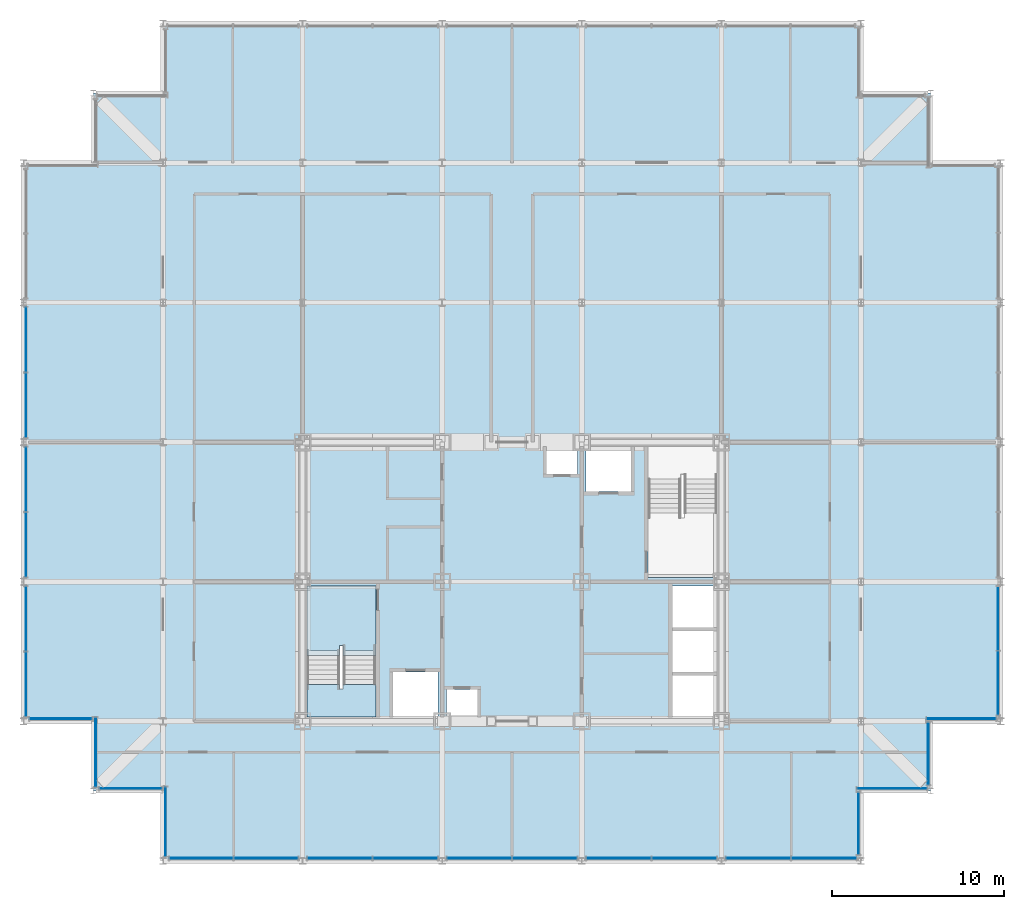
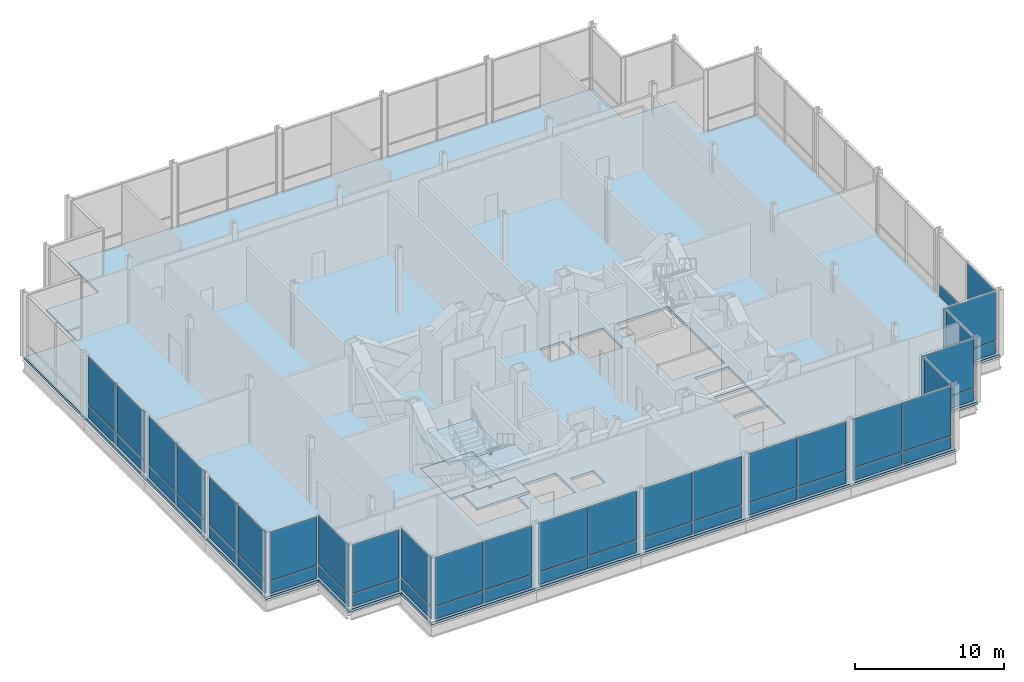
# One storey, part 12 of 21: 51 plates, 5 slabs, 18 elements without a shape of their own.
"""IFC4 building model written with IfcOpenShell, lengths in metres."""

from ifc_helpers import new_model, si_unit, direction, frame, origin, origin_2d, place, context, subcontext, project, spatial, polyline, rectangle, outline, extrude, material, layer, layer_set, type_object, element, aggregate, save


model = new_model("IFC4")

# Units and contexts
model_context = context("Model", 3, precision=1e-05, world=origin(), true_north=direction((0.0, 1.0)))
body_context = subcontext(model_context, "Body", "Model", "MODEL_VIEW")
ifc_project = project(units=[si_unit("LENGTHUNIT", "METRE"), si_unit("AREAUNIT", "SQUARE_METRE"), si_unit("VOLUMEUNIT", "CUBIC_METRE"), si_unit("PLANEANGLEUNIT", "RADIAN"), si_unit("MASSUNIT", "GRAM", prefix="KILO")], contexts=[model_context])

# Site, building, storey
site_placement = place(None, origin())
site = spatial("IfcSite", under=ifc_project, at=site_placement, CompositionType="ELEMENT")
building_placement = place(site_placement, origin())
building = spatial("IfcBuilding", under=site, at=building_placement, Name="Kopane Lantern Tower", CompositionType="ELEMENT")
storey_placement = place(building_placement, frame((0.0, 0.0, 298.5)))
storey = spatial("IfcBuildingStorey", under=building, at=storey_placement, Name="L76", CompositionType="ELEMENT", Elevation=298.5)

# Curtain wall, plates
ifc_material_1 = material(Name="Aluminium and clear glass", Category="aluminium")
curtain_wall_type = type_object("IfcCurtainWallType", Name="CURTAIN WALL CW6 LANTERN CROWN", PredefinedType="USERDEFINED", material=ifc_material_1)
curtain_wall_1_placement = place(storey_placement, origin())
curtain_wall_1 = element("IfcCurtainWall", 1, at=curtain_wall_1_placement, inside=storey, type_object=curtain_wall_type, Name="Curtain wall CW6 S L76", ObjectType="CURTAIN WALL", PredefinedType="USERDEFINED")
ifc_material_2 = material(Name="Insulated clear glass unit", Category="glass")
ifc_layer_1 = layer(ifc_material_2, 0.0400390625)
ifc_layer_set_1 = layer_set([ifc_layer_1], Name="CURTAIN PANEL CW6-P 40")
plate_type = type_object("IfcPlateType", Name="CURTAIN PANEL CW6-P 40", PredefinedType="CURTAIN_PANEL", material=ifc_layer_set_1)
plate_1_placement = place(storey_placement, frame((10.31884765625, 16.35009765625, 0.080078125), z_axis=(0.0, 0.0, 1.0), x_axis=(1.0, 0.0, 0.0)))
plate_1 = element("IfcPlate", 2, at=plate_1_placement, type_object=plate_type, Name="CW6 panel 1.1", PredefinedType="CURTAIN_PANEL", context=body_context, shape_type="SweptSolid", body=[
    extrude(rectangle(XDim=3.677734375, YDim=0.0400390625, at=origin_2d()), origin(), (0.0, 0.0, 1.0), 0.97998046875),
])
plate_2_placement = place(storey_placement, frame((10.31884765625, 16.35009765625, 1.14013671875), z_axis=(0.0, 0.0, 1.0), x_axis=(1.0, 0.0, 0.0)))
plate_2 = element("IfcPlate", 3, at=plate_2_placement, type_object=plate_type, Name="CW6 panel 1.2", PredefinedType="CURTAIN_PANEL", context=body_context, shape_type="SweptSolid", body=[
    extrude(rectangle(XDim=3.677734375, YDim=0.0400390625, at=origin_2d()), origin(), (0.0, 0.0, 1.0), 3.969970703125),
])
plate_3_placement = place(storey_placement, frame((14.07666015625, 16.35009765625, 0.080078125), z_axis=(0.0, 0.0, 1.0), x_axis=(1.0, 0.0, 0.0)))
plate_3 = element("IfcPlate", 4, at=plate_3_placement, type_object=plate_type, Name="CW6 panel 2.1", PredefinedType="CURTAIN_PANEL", context=body_context, shape_type="SweptSolid", body=[
    extrude(rectangle(XDim=3.677734375, YDim=0.0400390625, at=origin_2d()), origin(), (0.0, 0.0, 1.0), 0.97998046875),
])
plate_4_placement = place(storey_placement, frame((14.07666015625, 16.35009765625, 1.14013671875), z_axis=(0.0, 0.0, 1.0), x_axis=(1.0, 0.0, 0.0)))
plate_4 = element("IfcPlate", 5, at=plate_4_placement, type_object=plate_type, Name="CW6 panel 2.2", PredefinedType="CURTAIN_PANEL", context=body_context, shape_type="SweptSolid", body=[
    extrude(rectangle(XDim=3.677734375, YDim=0.0400390625, at=origin_2d()), origin(), (0.0, 0.0, 1.0), 3.969970703125),
])
aggregate(curtain_wall_1, [plate_1, plate_2, plate_3, plate_4])

curtain_wall_2_placement = place(storey_placement, origin())
curtain_wall_2 = element("IfcCurtainWall", 6, at=curtain_wall_2_placement, inside=storey, type_object=curtain_wall_type, Name="Curtain wall CW6 S L76", ObjectType="CURTAIN WALL", PredefinedType="USERDEFINED")
plate_5_placement = place(storey_placement, frame((18.34716796875, 16.35009765625, 0.080078125), z_axis=(0.0, 0.0, 1.0), x_axis=(1.0, 0.0, 0.0)))
plate_5 = element("IfcPlate", 7, at=plate_5_placement, type_object=plate_type, Name="CW6 panel 1.1", PredefinedType="CURTAIN_PANEL", context=body_context, shape_type="SweptSolid", body=[
    extrude(rectangle(XDim=3.7255859375, YDim=0.0400390625, at=origin_2d()), origin(), (0.0, 0.0, 1.0), 0.97998046875),
])
plate_6_placement = place(storey_placement, frame((18.34716796875, 16.35009765625, 1.14013671875), z_axis=(0.0, 0.0, 1.0), x_axis=(1.0, 0.0, 0.0)))
plate_6 = element("IfcPlate", 8, at=plate_6_placement, type_object=plate_type, Name="CW6 panel 1.2", PredefinedType="CURTAIN_PANEL", context=body_context, shape_type="SweptSolid", body=[
    extrude(rectangle(XDim=3.7255859375, YDim=0.0400390625, at=origin_2d()), origin(), (0.0, 0.0, 1.0), 3.969970703125),
])
plate_7_placement = place(storey_placement, frame((22.15283203125, 16.35009765625, 0.080078125), z_axis=(0.0, 0.0, 1.0), x_axis=(1.0, 0.0, 0.0)))
plate_7 = element("IfcPlate", 9, at=plate_7_placement, type_object=plate_type, Name="CW6 panel 2.1", PredefinedType="CURTAIN_PANEL", context=body_context, shape_type="SweptSolid", body=[
    extrude(rectangle(XDim=3.7255859375, YDim=0.0400390625, at=origin_2d()), origin(), (0.0, 0.0, 1.0), 0.97998046875),
])
plate_8_placement = place(storey_placement, frame((22.15283203125, 16.35009765625, 1.14013671875), z_axis=(0.0, 0.0, 1.0), x_axis=(1.0, 0.0, 0.0)))
plate_8 = element("IfcPlate", 10, at=plate_8_placement, type_object=plate_type, Name="CW6 panel 2.2", PredefinedType="CURTAIN_PANEL", context=body_context, shape_type="SweptSolid", body=[
    extrude(rectangle(XDim=3.7255859375, YDim=0.0400390625, at=origin_2d()), origin(), (0.0, 0.0, 1.0), 3.969970703125),
])
aggregate(curtain_wall_2, [plate_5, plate_6, plate_7, plate_8])

curtain_wall_3_placement = place(storey_placement, origin())
curtain_wall_3 = element("IfcCurtainWall", 11, at=curtain_wall_3_placement, inside=storey, type_object=curtain_wall_type, Name="Curtain wall CW6 S L76", ObjectType="CURTAIN WALL", PredefinedType="USERDEFINED")
plate_9_placement = place(storey_placement, frame((26.447265625, 16.35009765625, 0.080078125), z_axis=(0.0, 0.0, 1.0), x_axis=(1.0, 0.0, 0.0)))
plate_9 = element("IfcPlate", 12, at=plate_9_placement, type_object=plate_type, Name="CW6 panel 1.1", PredefinedType="CURTAIN_PANEL", context=body_context, shape_type="SweptSolid", body=[
    extrude(rectangle(XDim=3.7255859375, YDim=0.0400390625, at=origin_2d()), origin(), (0.0, 0.0, 1.0), 0.97998046875),
])
plate_10_placement = place(storey_placement, frame((26.447265625, 16.35009765625, 1.14013671875), z_axis=(0.0, 0.0, 1.0), x_axis=(1.0, 0.0, 0.0)))
plate_10 = element("IfcPlate", 13, at=plate_10_placement, type_object=plate_type, Name="CW6 panel 1.2", PredefinedType="CURTAIN_PANEL", context=body_context, shape_type="SweptSolid", body=[
    extrude(rectangle(XDim=3.7255859375, YDim=0.0400390625, at=origin_2d()), origin(), (0.0, 0.0, 1.0), 3.969970703125),
])
plate_11_placement = place(storey_placement, frame((30.252685546875, 16.35009765625, 0.080078125), z_axis=(0.0, 0.0, 1.0), x_axis=(1.0, 0.0, 0.0)))
plate_11 = element("IfcPlate", 14, at=plate_11_placement, type_object=plate_type, Name="CW6 panel 2.1", PredefinedType="CURTAIN_PANEL", context=body_context, shape_type="SweptSolid", body=[
    extrude(rectangle(XDim=3.7255859375, YDim=0.0400390625, at=origin_2d()), origin(), (0.0, 0.0, 1.0), 0.97998046875),
])
plate_12_placement = place(storey_placement, frame((30.252685546875, 16.35009765625, 1.14013671875), z_axis=(0.0, 0.0, 1.0), x_axis=(1.0, 0.0, 0.0)))
plate_12 = element("IfcPlate", 15, at=plate_12_placement, type_object=plate_type, Name="CW6 panel 2.2", PredefinedType="CURTAIN_PANEL", context=body_context, shape_type="SweptSolid", body=[
    extrude(rectangle(XDim=3.7255859375, YDim=0.0400390625, at=origin_2d()), origin(), (0.0, 0.0, 1.0), 3.969970703125),
])
aggregate(curtain_wall_3, [plate_9, plate_10, plate_11, plate_12])

curtain_wall_4_placement = place(storey_placement, origin())
curtain_wall_4 = element("IfcCurtainWall", 16, at=curtain_wall_4_placement, inside=storey, type_object=curtain_wall_type, Name="Curtain wall CW6 S L76", ObjectType="CURTAIN WALL", PredefinedType="USERDEFINED")
plate_13_placement = place(storey_placement, frame((34.54736328125, 16.35009765625, 0.080078125), z_axis=(0.0, 0.0, 1.0), x_axis=(1.0, 0.0, 0.0)))
plate_13 = element("IfcPlate", 17, at=plate_13_placement, type_object=plate_type, Name="CW6 panel 1.1", PredefinedType="CURTAIN_PANEL", context=body_context, shape_type="SweptSolid", body=[
    extrude(rectangle(XDim=3.7255859375, YDim=0.0400390625, at=origin_2d()), origin(), (0.0, 0.0, 1.0), 0.97998046875),
])
plate_14_placement = place(storey_placement, frame((34.54736328125, 16.35009765625, 1.14013671875), z_axis=(0.0, 0.0, 1.0), x_axis=(1.0, 0.0, 0.0)))
plate_14 = element("IfcPlate", 18, at=plate_14_placement, type_object=plate_type, Name="CW6 panel 1.2", PredefinedType="CURTAIN_PANEL", context=body_context, shape_type="SweptSolid", body=[
    extrude(rectangle(XDim=3.7255859375, YDim=0.0400390625, at=origin_2d()), origin(), (0.0, 0.0, 1.0), 3.969970703125),
])
plate_15_placement = place(storey_placement, frame((38.352783203125, 16.35009765625, 0.080078125), z_axis=(0.0, 0.0, 1.0), x_axis=(1.0, 0.0, 0.0)))
plate_15 = element("IfcPlate", 19, at=plate_15_placement, type_object=plate_type, Name="CW6 panel 2.1", PredefinedType="CURTAIN_PANEL", context=body_context, shape_type="SweptSolid", body=[
    extrude(rectangle(XDim=3.7255859375, YDim=0.0400390625, at=origin_2d()), origin(), (0.0, 0.0, 1.0), 0.97998046875),
])
plate_16_placement = place(storey_placement, frame((38.352783203125, 16.35009765625, 1.14013671875), z_axis=(0.0, 0.0, 1.0), x_axis=(1.0, 0.0, 0.0)))
plate_16 = element("IfcPlate", 20, at=plate_16_placement, type_object=plate_type, Name="CW6 panel 2.2", PredefinedType="CURTAIN_PANEL", context=body_context, shape_type="SweptSolid", body=[
    extrude(rectangle(XDim=3.7255859375, YDim=0.0400390625, at=origin_2d()), origin(), (0.0, 0.0, 1.0), 3.969970703125),
])
aggregate(curtain_wall_4, [plate_13, plate_14, plate_15, plate_16])

curtain_wall_5_placement = place(storey_placement, origin())
curtain_wall_5 = element("IfcCurtainWall", 21, at=curtain_wall_5_placement, inside=storey, type_object=curtain_wall_type, Name="Curtain wall CW6 S L76", ObjectType="CURTAIN WALL", PredefinedType="USERDEFINED")
plate_17_placement = place(storey_placement, frame((42.647216796875, 16.35009765625, 0.080078125), z_axis=(0.0, 0.0, 1.0), x_axis=(1.0, 0.0, 0.0)))
plate_17 = element("IfcPlate", 22, at=plate_17_placement, type_object=plate_type, Name="CW6 panel 1.1", PredefinedType="CURTAIN_PANEL", context=body_context, shape_type="SweptSolid", body=[
    extrude(rectangle(XDim=3.7255859375, YDim=0.0400390625, at=origin_2d()), origin(), (0.0, 0.0, 1.0), 0.97998046875),
])
plate_18_placement = place(storey_placement, frame((42.647216796875, 16.35009765625, 1.14013671875), z_axis=(0.0, 0.0, 1.0), x_axis=(1.0, 0.0, 0.0)))
plate_18 = element("IfcPlate", 23, at=plate_18_placement, type_object=plate_type, Name="CW6 panel 1.2", PredefinedType="CURTAIN_PANEL", context=body_context, shape_type="SweptSolid", body=[
    extrude(rectangle(XDim=3.7255859375, YDim=0.0400390625, at=origin_2d()), origin(), (0.0, 0.0, 1.0), 3.969970703125),
])
plate_19_placement = place(storey_placement, frame((46.45263671875, 16.35009765625, 0.080078125), z_axis=(0.0, 0.0, 1.0), x_axis=(1.0, 0.0, 0.0)))
plate_19 = element("IfcPlate", 24, at=plate_19_placement, type_object=plate_type, Name="CW6 panel 2.1", PredefinedType="CURTAIN_PANEL", context=body_context, shape_type="SweptSolid", body=[
    extrude(rectangle(XDim=3.7255859375, YDim=0.0400390625, at=origin_2d()), origin(), (0.0, 0.0, 1.0), 0.97998046875),
])
plate_20_placement = place(storey_placement, frame((46.45263671875, 16.35009765625, 1.14013671875), z_axis=(0.0, 0.0, 1.0), x_axis=(1.0, 0.0, 0.0)))
plate_20 = element("IfcPlate", 25, at=plate_20_placement, type_object=plate_type, Name="CW6 panel 2.2", PredefinedType="CURTAIN_PANEL", context=body_context, shape_type="SweptSolid", body=[
    extrude(rectangle(XDim=3.7255859375, YDim=0.0400390625, at=origin_2d()), origin(), (0.0, 0.0, 1.0), 3.969970703125),
])
aggregate(curtain_wall_5, [plate_17, plate_18, plate_19, plate_20])

curtain_wall_6_placement = place(storey_placement, origin())
curtain_wall_6 = element("IfcCurtainWall", 26, at=curtain_wall_6_placement, inside=storey, type_object=curtain_wall_type, Name="Curtain wall CW6 E L76", ObjectType="CURTAIN WALL", PredefinedType="USERDEFINED")
plate_21_placement = place(storey_placement, frame((48.449951171875, 18.375, 0.080078125), z_axis=(0.0, 0.0, 1.0), x_axis=(0.0, 1.0, 0.0)))
plate_21 = element("IfcPlate", 27, at=plate_21_placement, type_object=plate_type, Name="CW6 panel 1.1", PredefinedType="CURTAIN_PANEL", context=body_context, shape_type="SweptSolid", body=[
    extrude(rectangle(XDim=3.590087890625, YDim=0.0400390625, at=origin_2d()), origin(), (0.0, 0.0, 1.0), 0.97998046875),
])
plate_22_placement = place(storey_placement, frame((48.449951171875, 18.375, 1.14013671875), z_axis=(0.0, 0.0, 1.0), x_axis=(0.0, 1.0, 0.0)))
plate_22 = element("IfcPlate", 28, at=plate_22_placement, type_object=plate_type, Name="CW6 panel 1.2", PredefinedType="CURTAIN_PANEL", context=body_context, shape_type="SweptSolid", body=[
    extrude(rectangle(XDim=3.590087890625, YDim=0.0400390625, at=origin_2d()), origin(), (0.0, 0.0, 1.0), 3.969970703125),
])
aggregate(curtain_wall_6, [plate_21, plate_22])

curtain_wall_7_placement = place(storey_placement, origin())
curtain_wall_7 = element("IfcCurtainWall", 29, at=curtain_wall_7_placement, inside=storey, type_object=curtain_wall_type, Name="Curtain wall CW6 S L76", ObjectType="CURTAIN WALL", PredefinedType="USERDEFINED")
plate_23_placement = place(storey_placement, frame((50.395751953125, 20.39990234375, 0.080078125), z_axis=(0.0, 0.0, 1.0), x_axis=(1.0, 0.0, 0.0)))
plate_23 = element("IfcPlate", 30, at=plate_23_placement, type_object=plate_type, Name="CW6 panel 1.1", PredefinedType="CURTAIN_PANEL", context=body_context, shape_type="SweptSolid", body=[
    extrude(rectangle(XDim=4.03125, YDim=0.0400390625, at=origin_2d()), origin(), (0.0, 0.0, 1.0), 0.97998046875),
])
plate_24_placement = place(storey_placement, frame((50.395751953125, 20.39990234375, 1.14013671875), z_axis=(0.0, 0.0, 1.0), x_axis=(1.0, 0.0, 0.0)))
plate_24 = element("IfcPlate", 31, at=plate_24_placement, type_object=plate_type, Name="CW6 panel 1.2", PredefinedType="CURTAIN_PANEL", context=body_context, shape_type="SweptSolid", body=[
    extrude(rectangle(XDim=4.03125, YDim=0.0400390625, at=origin_2d()), origin(), (0.0, 0.0, 1.0), 3.969970703125),
])
aggregate(curtain_wall_7, [plate_23, plate_24])

curtain_wall_8_placement = place(storey_placement, origin())
curtain_wall_8 = element("IfcCurtainWall", 32, at=curtain_wall_8_placement, inside=storey, type_object=curtain_wall_type, Name="Curtain wall CW6 E L76", ObjectType="CURTAIN WALL", PredefinedType="USERDEFINED")
plate_25_placement = place(storey_placement, frame((52.5, 22.425048828125, 0.080078125), z_axis=(0.0, 0.0, 1.0), x_axis=(0.0, 1.0, 0.0)))
plate_25 = element("IfcPlate", 33, at=plate_25_placement, type_object=plate_type, Name="CW6 panel 1.1", PredefinedType="CURTAIN_PANEL", context=body_context, shape_type="SweptSolid", body=[
    extrude(rectangle(XDim=3.590087890625, YDim=0.0400390625, at=origin_2d()), origin(), (0.0, 0.0, 1.0), 0.97998046875),
])
plate_26_placement = place(storey_placement, frame((52.5, 22.425048828125, 1.14013671875), z_axis=(0.0, 0.0, 1.0), x_axis=(0.0, 1.0, 0.0)))
plate_26 = element("IfcPlate", 34, at=plate_26_placement, type_object=plate_type, Name="CW6 panel 1.2", PredefinedType="CURTAIN_PANEL", context=body_context, shape_type="SweptSolid", body=[
    extrude(rectangle(XDim=3.590087890625, YDim=0.0400390625, at=origin_2d()), origin(), (0.0, 0.0, 1.0), 3.969970703125),
])
aggregate(curtain_wall_8, [plate_25, plate_26])

curtain_wall_9_placement = place(storey_placement, origin())
curtain_wall_9 = element("IfcCurtainWall", 35, at=curtain_wall_9_placement, inside=storey, type_object=curtain_wall_type, Name="Curtain wall CW6 S L76", ObjectType="CURTAIN WALL", PredefinedType="USERDEFINED")
plate_27_placement = place(storey_placement, frame((54.4228515625, 24.449951171875, 0.080078125), z_axis=(0.0, 0.0, 1.0), x_axis=(1.0, 0.0, 0.0)))
plate_27 = element("IfcPlate", 36, at=plate_27_placement, type_object=plate_type, Name="CW6 panel 1.1", PredefinedType="CURTAIN_PANEL", context=body_context, shape_type="SweptSolid", body=[
    extrude(rectangle(XDim=3.985595703125, YDim=0.0400390625, at=origin_2d()), origin(), (0.0, 0.0, 1.0), 0.97998046875),
])
plate_28_placement = place(storey_placement, frame((54.4228515625, 24.449951171875, 1.14013671875), z_axis=(0.0, 0.0, 1.0), x_axis=(1.0, 0.0, 0.0)))
plate_28 = element("IfcPlate", 37, at=plate_28_placement, type_object=plate_type, Name="CW6 panel 1.2", PredefinedType="CURTAIN_PANEL", context=body_context, shape_type="SweptSolid", body=[
    extrude(rectangle(XDim=3.985595703125, YDim=0.0400390625, at=origin_2d()), origin(), (0.0, 0.0, 1.0), 3.969970703125),
])
aggregate(curtain_wall_9, [plate_27, plate_28])

curtain_wall_10_placement = place(storey_placement, origin())
curtain_wall_10 = element("IfcCurtainWall", 38, at=curtain_wall_10_placement, inside=storey, type_object=curtain_wall_type, Name="Curtain wall CW6 E L76", ObjectType="CURTAIN WALL", PredefinedType="USERDEFINED")
plate_29_placement = place(storey_placement, frame((56.550048828125, 26.51953125, 0.080078125), z_axis=(0.0, 0.0, 1.0), x_axis=(0.0, 1.0, 0.0)))
plate_29 = element("IfcPlate", 39, at=plate_29_placement, type_object=plate_type, Name="CW6 panel 1.1", PredefinedType="CURTAIN_PANEL", context=body_context, shape_type="SweptSolid", body=[
    extrude(rectangle(XDim=3.67919921875, YDim=0.0400390625, at=origin_2d()), origin(), (0.0, 0.0, 1.0), 0.97998046875),
])
plate_30_placement = place(storey_placement, frame((56.550048828125, 26.51953125, 1.14013671875), z_axis=(0.0, 0.0, 1.0), x_axis=(0.0, 1.0, 0.0)))
plate_30 = element("IfcPlate", 40, at=plate_30_placement, type_object=plate_type, Name="CW6 panel 1.2", PredefinedType="CURTAIN_PANEL", context=body_context, shape_type="SweptSolid", body=[
    extrude(rectangle(XDim=3.67919921875, YDim=0.0400390625, at=origin_2d()), origin(), (0.0, 0.0, 1.0), 3.969970703125),
])
plate_31_placement = place(storey_placement, frame((56.550048828125, 30.278564453125, 0.080078125), z_axis=(0.0, 0.0, 1.0), x_axis=(0.0, 1.0, 0.0)))
plate_31 = element("IfcPlate", 41, at=plate_31_placement, type_object=plate_type, Name="CW6 panel 2.1", PredefinedType="CURTAIN_PANEL", context=body_context, shape_type="SweptSolid", body=[
    extrude(rectangle(XDim=3.67919921875, YDim=0.0400390625, at=origin_2d()), origin(), (0.0, 0.0, 1.0), 0.97998046875),
])
aggregate(curtain_wall_10, [plate_29, plate_30, plate_31])

curtain_wall_11_placement = place(storey_placement, origin())
curtain_wall_11 = element("IfcCurtainWall", 42, at=curtain_wall_11_placement, inside=storey, type_object=curtain_wall_type, Name="Curtain wall CW6 W L76", ObjectType="CURTAIN WALL", PredefinedType="USERDEFINED")
plate_32_placement = place(storey_placement, frame((0.14990234375, 46.4541015625, 0.080078125), z_axis=(0.0, 0.0, 1.0), x_axis=(0.0, -1.0, 0.0)))
plate_32 = element("IfcPlate", 43, at=plate_32_placement, type_object=plate_type, Name="CW6 panel 1.1", PredefinedType="CURTAIN_PANEL", context=body_context, shape_type="SweptSolid", body=[
    extrude(rectangle(XDim=3.728271484375, YDim=0.0400390625, at=origin_2d()), origin(), (0.0, 0.0, 1.0), 0.97998046875),
])
plate_33_placement = place(storey_placement, frame((0.14990234375, 46.4541015625, 1.14013671875), z_axis=(0.0, 0.0, 1.0), x_axis=(0.0, -1.0, 0.0)))
plate_33 = element("IfcPlate", 44, at=plate_33_placement, type_object=plate_type, Name="CW6 panel 1.2", PredefinedType="CURTAIN_PANEL", context=body_context, shape_type="SweptSolid", body=[
    extrude(rectangle(XDim=3.728271484375, YDim=0.0400390625, at=origin_2d()), origin(), (0.0, 0.0, 1.0), 3.969970703125),
])
plate_34_placement = place(storey_placement, frame((0.14990234375, 42.64599609375, 0.080078125), z_axis=(0.0, 0.0, 1.0), x_axis=(0.0, -1.0, 0.0)))
plate_34 = element("IfcPlate", 45, at=plate_34_placement, type_object=plate_type, Name="CW6 panel 2.1", PredefinedType="CURTAIN_PANEL", context=body_context, shape_type="SweptSolid", body=[
    extrude(rectangle(XDim=3.728271484375, YDim=0.0400390625, at=origin_2d()), origin(), (0.0, 0.0, 1.0), 0.97998046875),
])
plate_35_placement = place(storey_placement, frame((0.14990234375, 42.64599609375, 1.14013671875), z_axis=(0.0, 0.0, 1.0), x_axis=(0.0, -1.0, 0.0)))
plate_35 = element("IfcPlate", 46, at=plate_35_placement, type_object=plate_type, Name="CW6 panel 2.2", PredefinedType="CURTAIN_PANEL", context=body_context, shape_type="SweptSolid", body=[
    extrude(rectangle(XDim=3.728271484375, YDim=0.0400390625, at=origin_2d()), origin(), (0.0, 0.0, 1.0), 3.969970703125),
])
aggregate(curtain_wall_11, [plate_32, plate_33, plate_34, plate_35])

curtain_wall_12_placement = place(storey_placement, origin())
curtain_wall_12 = element("IfcCurtainWall", 47, at=curtain_wall_12_placement, inside=storey, type_object=curtain_wall_type, Name="Curtain wall CW6 W L76", ObjectType="CURTAIN WALL", PredefinedType="USERDEFINED")
plate_36_placement = place(storey_placement, frame((0.14990234375, 38.35400390625, 0.080078125), z_axis=(0.0, 0.0, 1.0), x_axis=(0.0, -1.0, 0.0)))
plate_36 = element("IfcPlate", 48, at=plate_36_placement, type_object=plate_type, Name="CW6 panel 1.1", PredefinedType="CURTAIN_PANEL", context=body_context, shape_type="SweptSolid", body=[
    extrude(rectangle(XDim=3.728271484375, YDim=0.0400390625, at=origin_2d()), origin(), (0.0, 0.0, 1.0), 0.97998046875),
])
plate_37_placement = place(storey_placement, frame((0.14990234375, 38.35400390625, 1.14013671875), z_axis=(0.0, 0.0, 1.0), x_axis=(0.0, -1.0, 0.0)))
plate_37 = element("IfcPlate", 49, at=plate_37_placement, type_object=plate_type, Name="CW6 panel 1.2", PredefinedType="CURTAIN_PANEL", context=body_context, shape_type="SweptSolid", body=[
    extrude(rectangle(XDim=3.728271484375, YDim=0.0400390625, at=origin_2d()), origin(), (0.0, 0.0, 1.0), 3.969970703125),
])
plate_38_placement = place(storey_placement, frame((0.14990234375, 34.5458984375, 0.080078125), z_axis=(0.0, 0.0, 1.0), x_axis=(0.0, -1.0, 0.0)))
plate_38 = element("IfcPlate", 50, at=plate_38_placement, type_object=plate_type, Name="CW6 panel 2.1", PredefinedType="CURTAIN_PANEL", context=body_context, shape_type="SweptSolid", body=[
    extrude(rectangle(XDim=3.728271484375, YDim=0.0400390625, at=origin_2d()), origin(), (0.0, 0.0, 1.0), 0.97998046875),
])
plate_39_placement = place(storey_placement, frame((0.14990234375, 34.5458984375, 1.14013671875), z_axis=(0.0, 0.0, 1.0), x_axis=(0.0, -1.0, 0.0)))
plate_39 = element("IfcPlate", 51, at=plate_39_placement, type_object=plate_type, Name="CW6 panel 2.2", PredefinedType="CURTAIN_PANEL", context=body_context, shape_type="SweptSolid", body=[
    extrude(rectangle(XDim=3.728271484375, YDim=0.0400390625, at=origin_2d()), origin(), (0.0, 0.0, 1.0), 3.969970703125),
])
aggregate(curtain_wall_12, [plate_36, plate_37, plate_38, plate_39])

curtain_wall_13_placement = place(storey_placement, origin())
curtain_wall_13 = element("IfcCurtainWall", 52, at=curtain_wall_13_placement, inside=storey, type_object=curtain_wall_type, Name="Curtain wall CW6 W L76", ObjectType="CURTAIN WALL", PredefinedType="USERDEFINED")
plate_40_placement = place(storey_placement, frame((0.14990234375, 30.254150390625, 0.080078125), z_axis=(0.0, 0.0, 1.0), x_axis=(0.0, -1.0, 0.0)))
plate_40 = element("IfcPlate", 53, at=plate_40_placement, type_object=plate_type, Name="CW6 panel 1.1", PredefinedType="CURTAIN_PANEL", context=body_context, shape_type="SweptSolid", body=[
    extrude(rectangle(XDim=3.728271484375, YDim=0.0400390625, at=origin_2d()), origin(), (0.0, 0.0, 1.0), 0.97998046875),
])
plate_41_placement = place(storey_placement, frame((0.14990234375, 30.254150390625, 1.14013671875), z_axis=(0.0, 0.0, 1.0), x_axis=(0.0, -1.0, 0.0)))
plate_41 = element("IfcPlate", 54, at=plate_41_placement, type_object=plate_type, Name="CW6 panel 1.2", PredefinedType="CURTAIN_PANEL", context=body_context, shape_type="SweptSolid", body=[
    extrude(rectangle(XDim=3.728271484375, YDim=0.0400390625, at=origin_2d()), origin(), (0.0, 0.0, 1.0), 3.969970703125),
])
plate_42_placement = place(storey_placement, frame((0.14990234375, 26.44580078125, 0.080078125), z_axis=(0.0, 0.0, 1.0), x_axis=(0.0, -1.0, 0.0)))
plate_42 = element("IfcPlate", 55, at=plate_42_placement, type_object=plate_type, Name="CW6 panel 2.1", PredefinedType="CURTAIN_PANEL", context=body_context, shape_type="SweptSolid", body=[
    extrude(rectangle(XDim=3.728271484375, YDim=0.0400390625, at=origin_2d()), origin(), (0.0, 0.0, 1.0), 0.97998046875),
])
plate_43_placement = place(storey_placement, frame((0.14990234375, 26.44580078125, 1.14013671875), z_axis=(0.0, 0.0, 1.0), x_axis=(0.0, -1.0, 0.0)))
plate_43 = element("IfcPlate", 56, at=plate_43_placement, type_object=plate_type, Name="CW6 panel 2.2", PredefinedType="CURTAIN_PANEL", context=body_context, shape_type="SweptSolid", body=[
    extrude(rectangle(XDim=3.728271484375, YDim=0.0400390625, at=origin_2d()), origin(), (0.0, 0.0, 1.0), 3.969970703125),
])
aggregate(curtain_wall_13, [plate_40, plate_41, plate_42, plate_43])

curtain_wall_14_placement = place(storey_placement, origin())
curtain_wall_14 = element("IfcCurtainWall", 57, at=curtain_wall_14_placement, inside=storey, type_object=curtain_wall_type, Name="Curtain wall CW6 S L76", ObjectType="CURTAIN WALL", PredefinedType="USERDEFINED")
plate_44_placement = place(storey_placement, frame((2.175048828125, 24.449951171875, 0.080078125), z_axis=(0.0, 0.0, 1.0), x_axis=(1.0, 0.0, 0.0)))
plate_44 = element("IfcPlate", 58, at=plate_44_placement, type_object=plate_type, Name="CW6 panel 1.1", PredefinedType="CURTAIN_PANEL", context=body_context, shape_type="SweptSolid", body=[
    extrude(rectangle(XDim=3.590087890625, YDim=0.0400390625, at=origin_2d()), origin(), (0.0, 0.0, 1.0), 0.97998046875),
])
plate_45_placement = place(storey_placement, frame((2.175048828125, 24.449951171875, 1.14013671875), z_axis=(0.0, 0.0, 1.0), x_axis=(1.0, 0.0, 0.0)))
plate_45 = element("IfcPlate", 59, at=plate_45_placement, type_object=plate_type, Name="CW6 panel 1.2", PredefinedType="CURTAIN_PANEL", context=body_context, shape_type="SweptSolid", body=[
    extrude(rectangle(XDim=3.590087890625, YDim=0.0400390625, at=origin_2d()), origin(), (0.0, 0.0, 1.0), 3.969970703125),
])
aggregate(curtain_wall_14, [plate_44, plate_45])

curtain_wall_15_placement = place(storey_placement, origin())
curtain_wall_15 = element("IfcCurtainWall", 60, at=curtain_wall_15_placement, inside=storey, type_object=curtain_wall_type, Name="Curtain wall CW6 W L76", ObjectType="CURTAIN WALL", PredefinedType="USERDEFINED")
plate_46_placement = place(storey_placement, frame((4.199951171875, 22.506103515625, 0.080078125), z_axis=(0.0, 0.0, 1.0), x_axis=(0.0, -1.0, 0.0)))
plate_46 = element("IfcPlate", 61, at=plate_46_placement, type_object=plate_type, Name="CW6 panel 1.1", PredefinedType="CURTAIN_PANEL", context=body_context, shape_type="SweptSolid", body=[
    extrude(rectangle(XDim=4.027587890625, YDim=0.0400390625, at=origin_2d()), origin(), (0.0, 0.0, 1.0), 0.97998046875),
])
plate_47_placement = place(storey_placement, frame((4.199951171875, 22.506103515625, 1.14013671875), z_axis=(0.0, 0.0, 1.0), x_axis=(0.0, -1.0, 0.0)))
plate_47 = element("IfcPlate", 62, at=plate_47_placement, type_object=plate_type, Name="CW6 panel 1.2", PredefinedType="CURTAIN_PANEL", context=body_context, shape_type="SweptSolid", body=[
    extrude(rectangle(XDim=4.027587890625, YDim=0.0400390625, at=origin_2d()), origin(), (0.0, 0.0, 1.0), 3.969970703125),
])
aggregate(curtain_wall_15, [plate_46, plate_47])

curtain_wall_16_placement = place(storey_placement, origin())
curtain_wall_16 = element("IfcCurtainWall", 63, at=curtain_wall_16_placement, inside=storey, type_object=curtain_wall_type, Name="Curtain wall CW6 S L76", ObjectType="CURTAIN WALL", PredefinedType="USERDEFINED")
plate_48_placement = place(storey_placement, frame((6.22509765625, 20.39990234375, 0.080078125), z_axis=(0.0, 0.0, 1.0), x_axis=(1.0, 0.0, 0.0)))
plate_48 = element("IfcPlate", 64, at=plate_48_placement, type_object=plate_type, Name="CW6 panel 1.1", PredefinedType="CURTAIN_PANEL", context=body_context, shape_type="SweptSolid", body=[
    extrude(rectangle(XDim=3.590087890625, YDim=0.0400390625, at=origin_2d()), origin(), (0.0, 0.0, 1.0), 0.97998046875),
])
plate_49_placement = place(storey_placement, frame((6.22509765625, 20.39990234375, 1.14013671875), z_axis=(0.0, 0.0, 1.0), x_axis=(1.0, 0.0, 0.0)))
plate_49 = element("IfcPlate", 65, at=plate_49_placement, type_object=plate_type, Name="CW6 panel 1.2", PredefinedType="CURTAIN_PANEL", context=body_context, shape_type="SweptSolid", body=[
    extrude(rectangle(XDim=3.590087890625, YDim=0.0400390625, at=origin_2d()), origin(), (0.0, 0.0, 1.0), 3.969970703125),
])
aggregate(curtain_wall_16, [plate_48, plate_49])

curtain_wall_17_placement = place(storey_placement, origin())
curtain_wall_17 = element("IfcCurtainWall", 66, at=curtain_wall_17_placement, inside=storey, type_object=curtain_wall_type, Name="Curtain wall CW6 W L76", ObjectType="CURTAIN WALL", PredefinedType="USERDEFINED")
plate_50_placement = place(storey_placement, frame((8.25, 18.475830078125, 0.080078125), z_axis=(0.0, 0.0, 1.0), x_axis=(0.0, -1.0, 0.0)))
plate_50 = element("IfcPlate", 67, at=plate_50_placement, type_object=plate_type, Name="CW6 panel 1.1", PredefinedType="CURTAIN_PANEL", context=body_context, shape_type="SweptSolid", body=[
    extrude(rectangle(XDim=3.98828125, YDim=0.0400390625, at=origin_2d()), origin(), (0.0, 0.0, 1.0), 0.97998046875),
])
plate_51_placement = place(storey_placement, frame((8.25, 18.475830078125, 1.14013671875), z_axis=(0.0, 0.0, 1.0), x_axis=(0.0, -1.0, 0.0)))
plate_51 = element("IfcPlate", 68, at=plate_51_placement, type_object=plate_type, Name="CW6 panel 1.2", PredefinedType="CURTAIN_PANEL", context=body_context, shape_type="SweptSolid", body=[
    extrude(rectangle(XDim=3.98828125, YDim=0.0400390625, at=origin_2d()), origin(), (0.0, 0.0, 1.0), 3.969970703125),
])
aggregate(curtain_wall_17, [plate_50, plate_51])

# Slab
ifc_material_3 = material(Name="Concrete C40/50", Category="concrete")
ifc_layer_2 = layer(ifc_material_3, 0.2099609375)
ifc_layer_set_2 = layer_set([ifc_layer_2], Name="SLAB 210 COMPOSITE")
slab_type_1 = type_object("IfcSlabType", Name="SLAB 210 COMPOSITE", PredefinedType="FLOOR", material=ifc_layer_set_2)
slab_1_placement = place(storey_placement, frame((0.0, 0.0, -0.2099609375)))
element("IfcSlab", 69, at=slab_1_placement, inside=storey, type_object=slab_type_1, Name="Floor slab L76", PredefinedType="FLOOR", context=body_context, shape_type="SweptSolid", body=[
    extrude(outline(polyline([(8.10009765625, 16.199951171875), (48.60009765625, 16.199951171875), (48.60009765625, 20.25), (52.64990234375, 20.25), (52.64990234375, 24.300048828125), (56.699951171875, 24.300048828125), (56.699951171875, 56.699951171875), (52.64990234375, 56.699951171875), (52.64990234375, 60.75), (48.60009765625, 60.75), (48.60009765625, 64.800048828125), (8.10009765625, 64.800048828125), (8.10009765625, 60.75), (4.050048828125, 60.75), (4.050048828125, 56.699951171875), (0.0, 56.699951171875), (0.0, 24.300048828125), (4.050048828125, 24.300048828125), (4.050048828125, 20.25), (8.10009765625, 20.25), (8.10009765625, 16.199951171875)]), holes=[polyline([(16.449951171875, 24.550048828125), (20.449951171875, 24.550048828125), (20.449951171875, 32.14990234375), (16.449951171875, 32.14990234375), (16.449951171875, 24.550048828125)]), polyline([(36.25, 32.64990234375), (40.25, 32.64990234375), (40.25, 40.25), (36.25, 40.25), (36.25, 32.64990234375)]), polyline([(37.64990234375, 24.550048828125), (40.25, 24.550048828125), (40.25, 26.949951171875), (37.64990234375, 26.949951171875), (37.64990234375, 24.550048828125)]), polyline([(37.64990234375, 27.14990234375), (40.25, 27.14990234375), (40.25, 29.550048828125), (37.64990234375, 29.550048828125), (37.64990234375, 27.14990234375)]), polyline([(37.64990234375, 29.75), (40.25, 29.75), (40.25, 32.14990234375), (37.64990234375, 32.14990234375), (37.64990234375, 29.75)]), polyline([(21.449951171875, 24.550048828125), (24.050048828125, 24.550048828125), (24.050048828125, 27.14990234375), (21.449951171875, 27.14990234375), (21.449951171875, 24.550048828125)]), polyline([(32.64990234375, 37.64990234375), (35.25, 37.64990234375), (35.25, 40.25), (32.64990234375, 40.25), (32.64990234375, 37.64990234375)]), polyline([(24.550048828125, 24.550048828125), (26.35009765625, 24.550048828125), (26.35009765625, 26.14990234375), (24.550048828125, 26.14990234375), (24.550048828125, 24.550048828125)]), polyline([(30.35009765625, 38.64990234375), (32.14990234375, 38.64990234375), (32.14990234375, 40.25), (30.35009765625, 40.25), (30.35009765625, 38.64990234375)])]), origin(), (0.0, 0.0, 1.0), 0.2099609375),
])

# Stair, slabs
ifc_material_4 = material(Name="Steel S355JR", Category="steel")
stair_type = type_object("IfcStairType", Name="EXIT STAIR 1900 HALF TURN", PredefinedType="HALF_TURN_STAIR", material=ifc_material_4)
stair_placement = place(storey_placement, origin())
stair = element("IfcStair", 70, at=stair_placement, inside=storey, type_object=stair_type, Name="Exit stair ST1 L76", PredefinedType="HALF_TURN_STAIR")
ifc_material_5 = material(Name="Concrete C40/50", Category="concrete")
ifc_layer_3 = layer(ifc_material_5, 0.199951171875)
ifc_layer_set_3 = layer_set([ifc_layer_3], Name="STAIR LANDING 200")
slab_type_2 = type_object("IfcSlabType", Name="STAIR LANDING 200", PredefinedType="LANDING", material=ifc_layer_set_3)
slab_2_placement = place(storey_placement, frame((0.0, 0.0, -0.199951171875)))
slab_2 = element("IfcSlab", 71, at=slab_2_placement, type_object=slab_type_2, Name="ST1 landing 1", PredefinedType="LANDING", context=body_context, shape_type="SweptSolid", body=[
    extrude(outline(polyline([(18.35009765625, 28.68994140625), (18.550048828125, 28.68994140625), (18.550048828125, 28.1298828125), (20.449951171875, 28.1298828125), (20.449951171875, 32.14990234375), (16.449951171875, 32.14990234375), (16.449951171875, 28.1298828125), (18.35009765625, 28.1298828125), (18.35009765625, 28.68994140625)])), origin(), (0.0, 0.0, 1.0), 0.199951171875),
])
slab_3_placement = place(storey_placement, frame((0.0, 0.0, 1.14990234375)))
slab_3 = element("IfcSlab", 72, at=slab_3_placement, type_object=slab_type_2, Name="ST1 landing 2", PredefinedType="LANDING", context=body_context, shape_type="SweptSolid", body=[
    extrude(outline(polyline([(20.449951171875, 26.449951171875), (18.550048828125, 26.449951171875), (18.550048828125, 26.169921875), (18.35009765625, 26.169921875), (18.35009765625, 26.449951171875), (16.449951171875, 26.449951171875), (16.449951171875, 24.550048828125), (20.449951171875, 24.550048828125), (20.449951171875, 26.449951171875)])), origin(), (0.0, 0.0, 1.0), 0.2001953125),
])
slab_4_placement = place(storey_placement, frame((0.0, 0.0, 2.5)))
slab_4 = element("IfcSlab", 73, at=slab_4_placement, type_object=slab_type_2, Name="ST1 landing 3", PredefinedType="LANDING", context=body_context, shape_type="SweptSolid", body=[
    extrude(outline(polyline([(18.35009765625, 28.68994140625), (18.550048828125, 28.68994140625), (18.550048828125, 28.409912109375), (20.449951171875, 28.409912109375), (20.449951171875, 32.14990234375), (16.449951171875, 32.14990234375), (16.449951171875, 28.409912109375), (18.35009765625, 28.409912109375), (18.35009765625, 28.68994140625)])), origin(), (0.0, 0.0, 1.0), 0.199951171875),
])
slab_5_placement = place(storey_placement, frame((0.0, 0.0, 3.85009765625)))
slab_5 = element("IfcSlab", 74, at=slab_5_placement, type_object=slab_type_2, Name="ST1 landing 4", PredefinedType="LANDING", context=body_context, shape_type="SweptSolid", body=[
    extrude(outline(polyline([(20.449951171875, 26.449951171875), (18.550048828125, 26.449951171875), (18.550048828125, 26.169921875), (18.35009765625, 26.169921875), (18.35009765625, 26.449951171875), (16.449951171875, 26.449951171875), (16.449951171875, 24.550048828125), (20.449951171875, 24.550048828125), (20.449951171875, 26.449951171875)])), origin(), (0.0, 0.0, 1.0), 0.199951171875),
])
aggregate(stair, [slab_2, slab_3, slab_4, slab_5])

save(model, "model.ifc")
